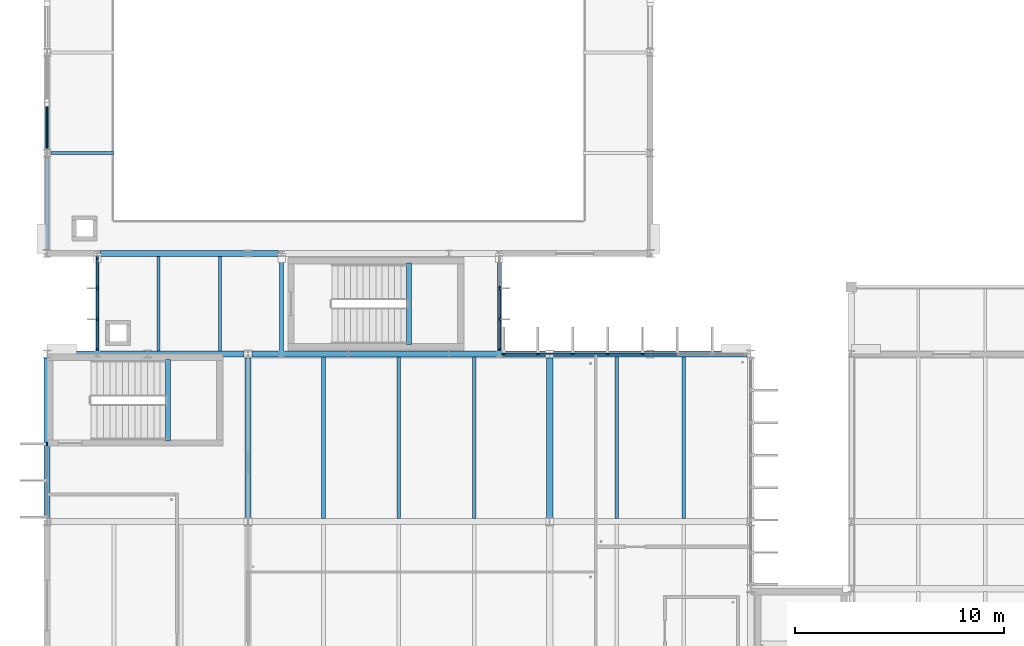
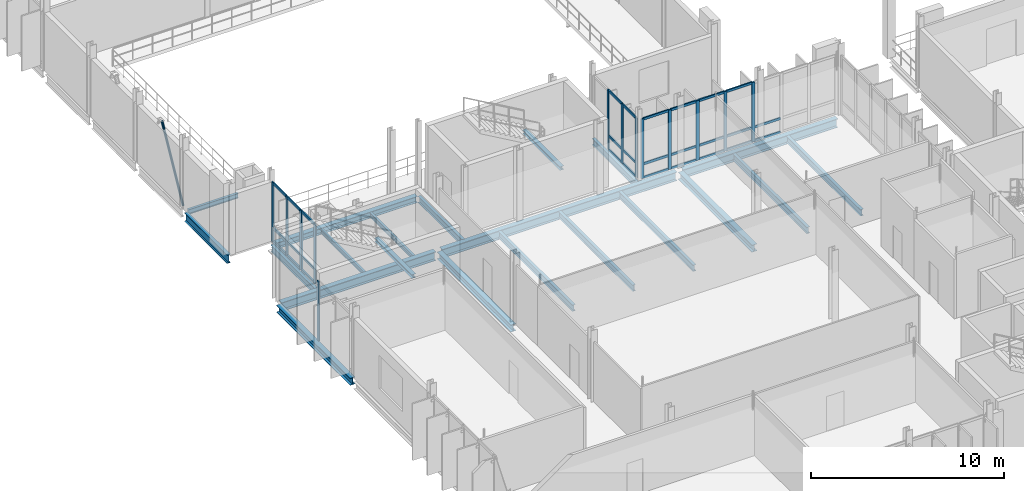
# One storey, part 22 of 107: 43 members, 21 beams, 4 elements without a shape of their own.
"""IFC4 building model written with IfcOpenShell, lengths in metres."""

from ifc_helpers import new_model, si_unit, direction, frame, origin, origin_2d, place, context, subcontext, project, spatial, rectangle, hollow_circle, i_section, extrude, material, material_profile, profile_set, type_object, element, aggregate, save


model = new_model("IFC4")

# Units and contexts
model_context = context("Model", 3, precision=1e-05, world=origin(), true_north=direction((0.0, 1.0)))
body_context = subcontext(model_context, "Body", "Model", "MODEL_VIEW")
ifc_project = project(units=[si_unit("LENGTHUNIT", "METRE"), si_unit("AREAUNIT", "SQUARE_METRE"), si_unit("VOLUMEUNIT", "CUBIC_METRE"), si_unit("PLANEANGLEUNIT", "RADIAN"), si_unit("MASSUNIT", "GRAM", prefix="KILO")], contexts=[model_context])

# Site, building, storey
site_placement = place(None, origin())
site = spatial("IfcSite", under=ifc_project, at=site_placement, CompositionType="ELEMENT")
building_placement = place(site_placement, origin())
building = spatial("IfcBuilding", under=site, at=building_placement, Name="Dunescarp Central Library", CompositionType="ELEMENT")
storey_placement = place(building_placement, frame((0.0, 0.0, 5.10009765625)))
storey = spatial("IfcBuildingStorey", under=building, at=storey_placement, Name="L01", CompositionType="ELEMENT", Elevation=5.10009765625)

# Curtain wall, members
ifc_material_1 = material(Name="Marine-grade anodised aluminium 6063-T6", Category="aluminium")
curtain_wall_type_1 = type_object("IfcCurtainWallType", Name="ARC-CW-STICK", PredefinedType="NOTDEFINED", material=ifc_material_1)
curtain_wall_1_placement = place(storey_placement, origin())
curtain_wall_1 = element("IfcCurtainWall", 1, at=curtain_wall_1_placement, inside=storey, type_object=curtain_wall_type_1, Name="L01 curtain wall CW-V1-008", PredefinedType="NOTDEFINED")
ifc_material_profile_1 = material_profile(ifc_material_1, rectangle(XDim=0.080078125, YDim=0.179931640625, at=origin_2d()), Name="AL 80x180")
ifc_profile_set_1 = profile_set([ifc_material_profile_1], Name="Marine-grade anodised aluminium 6063-T6")
member_type_1 = type_object("IfcMemberType", Name="ARC-CWM-180", PredefinedType="MULLION", material=ifc_profile_set_1)
member_1_placement = place(storey_placement, frame((21.81494140625, 36.800048828125, 0.0), z_axis=(0.0, 0.0, 1.0), x_axis=(0.0, 1.0, 0.0)))
member_1 = element("IfcMember", 2, at=member_1_placement, type_object=member_type_1, Name="CW-V1-008 mullion 1", PredefinedType="MULLION", context=body_context, shape_type="SweptSolid", body=[
    extrude(rectangle(XDim=0.080078125, YDim=0.179931640625, at=origin_2d()), origin(), (0.0, 0.0, 1.0), 3.764892578125),
])
member_2_placement = place(storey_placement, frame((23.439208984375, 36.800048828125, 0.0), z_axis=(0.0, 0.0, 1.0), x_axis=(0.0, 1.0, 0.0)))
member_2 = element("IfcMember", 3, at=member_2_placement, type_object=member_type_1, Name="CW-V1-008 mullion 2", PredefinedType="MULLION", context=body_context, shape_type="SweptSolid", body=[
    extrude(rectangle(XDim=0.080078125, YDim=0.179931640625, at=origin_2d()), origin(), (0.0, 0.0, 1.0), 3.764892578125),
])
member_3_placement = place(storey_placement, frame((25.103515625, 36.800048828125, 0.0), z_axis=(0.0, 0.0, 1.0), x_axis=(0.0, 1.0, 0.0)))
member_3 = element("IfcMember", 4, at=member_3_placement, type_object=member_type_1, Name="CW-V1-008 mullion 3", PredefinedType="MULLION", context=body_context, shape_type="SweptSolid", body=[
    extrude(rectangle(XDim=0.080078125, YDim=0.179931640625, at=origin_2d()), origin(), (0.0, 0.0, 1.0), 3.764892578125),
])
member_4_placement = place(storey_placement, frame((26.767822265625, 36.800048828125, 0.0), z_axis=(0.0, 0.0, 1.0), x_axis=(0.0, 1.0, 0.0)))
member_4 = element("IfcMember", 5, at=member_4_placement, type_object=member_type_1, Name="CW-V1-008 mullion 4", PredefinedType="MULLION", context=body_context, shape_type="SweptSolid", body=[
    extrude(rectangle(XDim=0.080078125, YDim=0.179931640625, at=origin_2d()), origin(), (0.0, 0.0, 1.0), 3.764892578125),
])
member_5_placement = place(storey_placement, frame((28.43212890625, 36.800048828125, 0.0), z_axis=(0.0, 0.0, 1.0), x_axis=(0.0, 1.0, 0.0)))
member_5 = element("IfcMember", 6, at=member_5_placement, type_object=member_type_1, Name="CW-V1-008 mullion 5", PredefinedType="MULLION", context=body_context, shape_type="SweptSolid", body=[
    extrude(rectangle(XDim=0.080078125, YDim=0.179931640625, at=origin_2d()), origin(), (0.0, 0.0, 1.0), 3.764892578125),
])

# Curtain wall, member
curtain_wall_2_placement = place(storey_placement, origin())
curtain_wall_2 = element("IfcCurtainWall", 7, at=curtain_wall_2_placement, inside=storey, type_object=curtain_wall_type_1, Name="L01 curtain wall CW-V1-010", PredefinedType="NOTDEFINED")
member_6_placement = place(storey_placement, frame((0.0, 32.510009765625, 0.0), z_axis=(0.0, 0.0, 1.0), x_axis=(-1.0, 0.0, 0.0)))
member_6 = element("IfcMember", 8, at=member_6_placement, type_object=member_type_1, Name="CW-V1-010 mullion 3", PredefinedType="MULLION", context=body_context, shape_type="SweptSolid", body=[
    extrude(rectangle(XDim=0.080078125, YDim=0.179931640625, at=origin_2d()), origin(), (0.0, 0.0, 1.0), 3.764892578125),
])
aggregate(curtain_wall_2, [member_6])

# Curtain wall, members
curtain_wall_type_2 = type_object("IfcCurtainWallType", Name="ARC-CW-LINK", PredefinedType="USERDEFINED", material=ifc_material_1)
curtain_wall_3_placement = place(storey_placement, origin())
curtain_wall_3 = element("IfcCurtainWall", 9, at=curtain_wall_3_placement, inside=storey, type_object=curtain_wall_type_2, Name="L01 curtain wall CW-GL4-W-L01", ObjectType="GLAZED_LINK_WALL", PredefinedType="USERDEFINED")
member_7_placement = place(storey_placement, frame((2.39990234375, 37.014892578125, 0.0), z_axis=(0.0, 0.0, 1.0), x_axis=(-1.0, 0.0, 0.0)))
member_7 = element("IfcMember", 10, at=member_7_placement, type_object=member_type_1, Name="CW-GL4-W-L01 mullion 1", PredefinedType="MULLION", context=body_context, shape_type="SweptSolid", body=[
    extrude(rectangle(XDim=0.080078125, YDim=0.179931640625, at=origin_2d()), origin(), (0.0, 0.0, 1.0), 3.764892578125),
])
member_8_placement = place(storey_placement, frame((2.39990234375, 38.458251953125, 0.0), z_axis=(0.0, 0.0, 1.0), x_axis=(-1.0, 0.0, 0.0)))
member_8 = element("IfcMember", 11, at=member_8_placement, type_object=member_type_1, Name="CW-GL4-W-L01 mullion 2", PredefinedType="MULLION", context=body_context, shape_type="SweptSolid", body=[
    extrude(rectangle(XDim=0.080078125, YDim=0.179931640625, at=origin_2d()), origin(), (0.0, 0.0, 1.0), 3.764892578125),
])
member_9_placement = place(storey_placement, frame((2.39990234375, 39.941650390625, 0.0), z_axis=(0.0, 0.0, 1.0), x_axis=(-1.0, 0.0, 0.0)))
member_9 = element("IfcMember", 12, at=member_9_placement, type_object=member_type_1, Name="CW-GL4-W-L01 mullion 3", PredefinedType="MULLION", context=body_context, shape_type="SweptSolid", body=[
    extrude(rectangle(XDim=0.080078125, YDim=0.179931640625, at=origin_2d()), origin(), (0.0, 0.0, 1.0), 3.764892578125),
])
member_10_placement = place(storey_placement, frame((2.39990234375, 41.385009765625, 0.0), z_axis=(0.0, 0.0, 1.0), x_axis=(-1.0, 0.0, 0.0)))
member_10 = element("IfcMember", 13, at=member_10_placement, type_object=member_type_1, Name="CW-GL4-W-L01 mullion 4", PredefinedType="MULLION", context=body_context, shape_type="SweptSolid", body=[
    extrude(rectangle(XDim=0.080078125, YDim=0.179931640625, at=origin_2d()), origin(), (0.0, 0.0, 1.0), 3.764892578125),
])

curtain_wall_4_placement = place(storey_placement, origin())
curtain_wall_4 = element("IfcCurtainWall", 14, at=curtain_wall_4_placement, inside=storey, type_object=curtain_wall_type_2, Name="L01 curtain wall CW-GL4-E-L01", ObjectType="GLAZED_LINK_WALL", PredefinedType="USERDEFINED")
member_11_placement = place(storey_placement, frame((21.60009765625, 39.941650390625, 0.0), z_axis=(0.0, 0.0, 1.0), x_axis=(1.0, 0.0, 0.0)))
member_11 = element("IfcMember", 15, at=member_11_placement, type_object=member_type_1, Name="CW-GL4-E-L01 mullion 2", PredefinedType="MULLION", context=body_context, shape_type="SweptSolid", body=[
    extrude(rectangle(XDim=0.080078125, YDim=0.179931640625, at=origin_2d()), origin(), (0.0, 0.0, 1.0), 3.764892578125),
])
member_12_placement = place(storey_placement, frame((21.60009765625, 38.458251953125, 0.0), z_axis=(0.0, 0.0, 1.0), x_axis=(1.0, 0.0, 0.0)))
member_12 = element("IfcMember", 16, at=member_12_placement, type_object=member_type_1, Name="CW-GL4-E-L01 mullion 3", PredefinedType="MULLION", context=body_context, shape_type="SweptSolid", body=[
    extrude(rectangle(XDim=0.080078125, YDim=0.179931640625, at=origin_2d()), origin(), (0.0, 0.0, 1.0), 3.764892578125),
])
member_13_placement = place(storey_placement, frame((21.60009765625, 37.014892578125, 0.0), z_axis=(0.0, 0.0, 1.0), x_axis=(1.0, 0.0, 0.0)))
member_13 = element("IfcMember", 17, at=member_13_placement, type_object=member_type_1, Name="CW-GL4-E-L01 mullion 4", PredefinedType="MULLION", context=body_context, shape_type="SweptSolid", body=[
    extrude(rectangle(XDim=0.080078125, YDim=0.179931640625, at=origin_2d()), origin(), (0.0, 0.0, 1.0), 3.764892578125),
])

# Member
ifc_material_profile_2 = material_profile(ifc_material_1, rectangle(XDim=0.080078125, YDim=0.14990234375, at=origin_2d()), Name="AL 80x150")
ifc_profile_set_2 = profile_set([ifc_material_profile_2], Name="Marine-grade anodised aluminium 6063-T6")
member_type_2 = type_object("IfcMemberType", Name="ARC-CWT-150", PredefinedType="USERDEFINED", material=ifc_profile_set_2)
member_14_placement = place(storey_placement, frame((21.85498046875, 36.800048828125, 0.039794921875), z_axis=(1.0, 0.0, 0.0), x_axis=(0.0, 1.0, 0.0)))
member_14 = element("IfcMember", 18, at=member_14_placement, type_object=member_type_2, Name="CW-V1-008 transom 1.1", ObjectType="TRANSOM", PredefinedType="USERDEFINED", context=body_context, shape_type="SweptSolid", body=[
    extrude(rectangle(XDim=0.080078125, YDim=0.14990234375, at=origin_2d()), origin(), (0.0, 0.0, 1.0), 1.544189453125),
])

member_15_placement = place(storey_placement, frame((21.85498046875, 36.800048828125, 0.89990234375), z_axis=(1.0, 0.0, 0.0), x_axis=(0.0, 1.0, 0.0)))
member_15 = element("IfcMember", 19, at=member_15_placement, type_object=member_type_2, Name="CW-V1-008 transom 1.2", ObjectType="TRANSOM", PredefinedType="USERDEFINED", context=body_context, shape_type="SweptSolid", body=[
    extrude(rectangle(XDim=0.080078125, YDim=0.14990234375, at=origin_2d()), origin(), (0.0, 0.0, 1.0), 1.544189453125),
])

member_16_placement = place(storey_placement, frame((21.85498046875, 36.800048828125, 3.724853515625), z_axis=(1.0, 0.0, 0.0), x_axis=(0.0, 1.0, 0.0)))
member_16 = element("IfcMember", 20, at=member_16_placement, type_object=member_type_2, Name="CW-V1-008 transom 1.3", ObjectType="TRANSOM", PredefinedType="USERDEFINED", context=body_context, shape_type="SweptSolid", body=[
    extrude(rectangle(XDim=0.080078125, YDim=0.14990234375, at=origin_2d()), origin(), (0.0, 0.0, 1.0), 1.544189453125),
])

member_17_placement = place(storey_placement, frame((23.479248046875, 36.800048828125, 0.039794921875), z_axis=(1.0, 0.0, 0.0), x_axis=(0.0, 1.0, 0.0)))
member_17 = element("IfcMember", 21, at=member_17_placement, type_object=member_type_2, Name="CW-V1-008 transom 2.1", ObjectType="TRANSOM", PredefinedType="USERDEFINED", context=body_context, shape_type="SweptSolid", body=[
    extrude(rectangle(XDim=0.080078125, YDim=0.14990234375, at=origin_2d()), origin(), (0.0, 0.0, 1.0), 1.584228515625),
])

member_18_placement = place(storey_placement, frame((23.479248046875, 36.800048828125, 0.89990234375), z_axis=(1.0, 0.0, 0.0), x_axis=(0.0, 1.0, 0.0)))
member_18 = element("IfcMember", 22, at=member_18_placement, type_object=member_type_2, Name="CW-V1-008 transom 2.2", ObjectType="TRANSOM", PredefinedType="USERDEFINED", context=body_context, shape_type="SweptSolid", body=[
    extrude(rectangle(XDim=0.080078125, YDim=0.14990234375, at=origin_2d()), origin(), (0.0, 0.0, 1.0), 1.584228515625),
])

member_19_placement = place(storey_placement, frame((23.479248046875, 36.800048828125, 3.724853515625), z_axis=(1.0, 0.0, 0.0), x_axis=(0.0, 1.0, 0.0)))
member_19 = element("IfcMember", 23, at=member_19_placement, type_object=member_type_2, Name="CW-V1-008 transom 2.3", ObjectType="TRANSOM", PredefinedType="USERDEFINED", context=body_context, shape_type="SweptSolid", body=[
    extrude(rectangle(XDim=0.080078125, YDim=0.14990234375, at=origin_2d()), origin(), (0.0, 0.0, 1.0), 1.584228515625),
])

member_20_placement = place(storey_placement, frame((25.1435546875, 36.800048828125, 0.039794921875), z_axis=(1.0, 0.0, 0.0), x_axis=(0.0, 1.0, 0.0)))
member_20 = element("IfcMember", 24, at=member_20_placement, type_object=member_type_2, Name="CW-V1-008 transom 3.1", ObjectType="TRANSOM", PredefinedType="USERDEFINED", context=body_context, shape_type="SweptSolid", body=[
    extrude(rectangle(XDim=0.080078125, YDim=0.14990234375, at=origin_2d()), origin(), (0.0, 0.0, 1.0), 1.584228515625),
])

member_21_placement = place(storey_placement, frame((25.1435546875, 36.800048828125, 0.89990234375), z_axis=(1.0, 0.0, 0.0), x_axis=(0.0, 1.0, 0.0)))
member_21 = element("IfcMember", 25, at=member_21_placement, type_object=member_type_2, Name="CW-V1-008 transom 3.2", ObjectType="TRANSOM", PredefinedType="USERDEFINED", context=body_context, shape_type="SweptSolid", body=[
    extrude(rectangle(XDim=0.080078125, YDim=0.14990234375, at=origin_2d()), origin(), (0.0, 0.0, 1.0), 1.584228515625),
])

member_22_placement = place(storey_placement, frame((25.1435546875, 36.800048828125, 3.724853515625), z_axis=(1.0, 0.0, 0.0), x_axis=(0.0, 1.0, 0.0)))
member_22 = element("IfcMember", 26, at=member_22_placement, type_object=member_type_2, Name="CW-V1-008 transom 3.3", ObjectType="TRANSOM", PredefinedType="USERDEFINED", context=body_context, shape_type="SweptSolid", body=[
    extrude(rectangle(XDim=0.080078125, YDim=0.14990234375, at=origin_2d()), origin(), (0.0, 0.0, 1.0), 1.584228515625),
])

member_23_placement = place(storey_placement, frame((26.807861328125, 36.800048828125, 0.039794921875), z_axis=(1.0, 0.0, 0.0), x_axis=(0.0, 1.0, 0.0)))
member_23 = element("IfcMember", 27, at=member_23_placement, type_object=member_type_2, Name="CW-V1-008 transom 4.1", ObjectType="TRANSOM", PredefinedType="USERDEFINED", context=body_context, shape_type="SweptSolid", body=[
    extrude(rectangle(XDim=0.080078125, YDim=0.14990234375, at=origin_2d()), origin(), (0.0, 0.0, 1.0), 1.584228515625),
])

member_24_placement = place(storey_placement, frame((26.807861328125, 36.800048828125, 0.89990234375), z_axis=(1.0, 0.0, 0.0), x_axis=(0.0, 1.0, 0.0)))
member_24 = element("IfcMember", 28, at=member_24_placement, type_object=member_type_2, Name="CW-V1-008 transom 4.2", ObjectType="TRANSOM", PredefinedType="USERDEFINED", context=body_context, shape_type="SweptSolid", body=[
    extrude(rectangle(XDim=0.080078125, YDim=0.14990234375, at=origin_2d()), origin(), (0.0, 0.0, 1.0), 1.584228515625),
])

member_25_placement = place(storey_placement, frame((26.807861328125, 36.800048828125, 3.724853515625), z_axis=(1.0, 0.0, 0.0), x_axis=(0.0, 1.0, 0.0)))
member_25 = element("IfcMember", 29, at=member_25_placement, type_object=member_type_2, Name="CW-V1-008 transom 4.3", ObjectType="TRANSOM", PredefinedType="USERDEFINED", context=body_context, shape_type="SweptSolid", body=[
    extrude(rectangle(XDim=0.080078125, YDim=0.14990234375, at=origin_2d()), origin(), (0.0, 0.0, 1.0), 1.584228515625),
])

member_26_placement = place(storey_placement, frame((28.47216796875, 36.800048828125, 0.039794921875), z_axis=(1.0, 0.0, 0.0), x_axis=(0.0, 1.0, 0.0)))
member_26 = element("IfcMember", 30, at=member_26_placement, type_object=member_type_2, Name="CW-V1-008 transom 5.1", ObjectType="TRANSOM", PredefinedType="USERDEFINED", context=body_context, shape_type="SweptSolid", body=[
    extrude(rectangle(XDim=0.080078125, YDim=0.14990234375, at=origin_2d()), origin(), (0.0, 0.0, 1.0), 1.584228515625),
])

member_27_placement = place(storey_placement, frame((28.47216796875, 36.800048828125, 0.89990234375), z_axis=(1.0, 0.0, 0.0), x_axis=(0.0, 1.0, 0.0)))
member_27 = element("IfcMember", 31, at=member_27_placement, type_object=member_type_2, Name="CW-V1-008 transom 5.2", ObjectType="TRANSOM", PredefinedType="USERDEFINED", context=body_context, shape_type="SweptSolid", body=[
    extrude(rectangle(XDim=0.080078125, YDim=0.14990234375, at=origin_2d()), origin(), (0.0, 0.0, 1.0), 1.584228515625),
])

aggregate(curtain_wall_1, [member_1, member_2, member_3, member_4, member_5, member_14, member_15, member_16, member_17, member_18, member_19, member_20, member_21, member_22, member_23, member_24, member_25, member_26, member_27])

member_28_placement = place(storey_placement, frame((2.39990234375, 37.054931640625, 0.039794921875), z_axis=(0.0, 1.0, 0.0), x_axis=(-1.0, 0.0, 0.0)))
member_28 = element("IfcMember", 32, at=member_28_placement, type_object=member_type_2, Name="CW-GL4-W-L01 transom 1.1", ObjectType="TRANSOM", PredefinedType="USERDEFINED", context=body_context, shape_type="SweptSolid", body=[
    extrude(rectangle(XDim=0.080078125, YDim=0.14990234375, at=origin_2d()), origin(), (0.0, 0.0, 1.0), 1.36328125),
])

member_29_placement = place(storey_placement, frame((2.39990234375, 37.054931640625, 0.89990234375), z_axis=(0.0, 1.0, 0.0), x_axis=(-1.0, 0.0, 0.0)))
member_29 = element("IfcMember", 33, at=member_29_placement, type_object=member_type_2, Name="CW-GL4-W-L01 transom 1.2", ObjectType="TRANSOM", PredefinedType="USERDEFINED", context=body_context, shape_type="SweptSolid", body=[
    extrude(rectangle(XDim=0.080078125, YDim=0.14990234375, at=origin_2d()), origin(), (0.0, 0.0, 1.0), 1.36328125),
])

member_30_placement = place(storey_placement, frame((2.39990234375, 37.054931640625, 3.724853515625), z_axis=(0.0, 1.0, 0.0), x_axis=(-1.0, 0.0, 0.0)))
member_30 = element("IfcMember", 34, at=member_30_placement, type_object=member_type_2, Name="CW-GL4-W-L01 transom 1.3", ObjectType="TRANSOM", PredefinedType="USERDEFINED", context=body_context, shape_type="SweptSolid", body=[
    extrude(rectangle(XDim=0.080078125, YDim=0.14990234375, at=origin_2d()), origin(), (0.0, 0.0, 1.0), 1.36328125),
])

member_31_placement = place(storey_placement, frame((2.39990234375, 38.498291015625, 0.039794921875), z_axis=(0.0, 1.0, 0.0), x_axis=(-1.0, 0.0, 0.0)))
member_31 = element("IfcMember", 35, at=member_31_placement, type_object=member_type_2, Name="CW-GL4-W-L01 transom 2.1", ObjectType="TRANSOM", PredefinedType="USERDEFINED", context=body_context, shape_type="SweptSolid", body=[
    extrude(rectangle(XDim=0.080078125, YDim=0.14990234375, at=origin_2d()), origin(), (0.0, 0.0, 1.0), 1.4033203125),
])

member_32_placement = place(storey_placement, frame((2.39990234375, 38.498291015625, 0.89990234375), z_axis=(0.0, 1.0, 0.0), x_axis=(-1.0, 0.0, 0.0)))
member_32 = element("IfcMember", 36, at=member_32_placement, type_object=member_type_2, Name="CW-GL4-W-L01 transom 2.2", ObjectType="TRANSOM", PredefinedType="USERDEFINED", context=body_context, shape_type="SweptSolid", body=[
    extrude(rectangle(XDim=0.080078125, YDim=0.14990234375, at=origin_2d()), origin(), (0.0, 0.0, 1.0), 1.4033203125),
])

member_33_placement = place(storey_placement, frame((2.39990234375, 38.498291015625, 3.724853515625), z_axis=(0.0, 1.0, 0.0), x_axis=(-1.0, 0.0, 0.0)))
member_33 = element("IfcMember", 37, at=member_33_placement, type_object=member_type_2, Name="CW-GL4-W-L01 transom 2.3", ObjectType="TRANSOM", PredefinedType="USERDEFINED", context=body_context, shape_type="SweptSolid", body=[
    extrude(rectangle(XDim=0.080078125, YDim=0.14990234375, at=origin_2d()), origin(), (0.0, 0.0, 1.0), 1.4033203125),
])

member_34_placement = place(storey_placement, frame((2.39990234375, 39.981689453125, 0.039794921875), z_axis=(0.0, 1.0, 0.0), x_axis=(-1.0, 0.0, 0.0)))
member_34 = element("IfcMember", 38, at=member_34_placement, type_object=member_type_2, Name="CW-GL4-W-L01 transom 3.1", ObjectType="TRANSOM", PredefinedType="USERDEFINED", context=body_context, shape_type="SweptSolid", body=[
    extrude(rectangle(XDim=0.080078125, YDim=0.14990234375, at=origin_2d()), origin(), (0.0, 0.0, 1.0), 1.36328125),
])

member_35_placement = place(storey_placement, frame((2.39990234375, 39.981689453125, 0.89990234375), z_axis=(0.0, 1.0, 0.0), x_axis=(-1.0, 0.0, 0.0)))
member_35 = element("IfcMember", 39, at=member_35_placement, type_object=member_type_2, Name="CW-GL4-W-L01 transom 3.2", ObjectType="TRANSOM", PredefinedType="USERDEFINED", context=body_context, shape_type="SweptSolid", body=[
    extrude(rectangle(XDim=0.080078125, YDim=0.14990234375, at=origin_2d()), origin(), (0.0, 0.0, 1.0), 1.36328125),
])

member_36_placement = place(storey_placement, frame((2.39990234375, 39.981689453125, 3.724853515625), z_axis=(0.0, 1.0, 0.0), x_axis=(-1.0, 0.0, 0.0)))
member_36 = element("IfcMember", 40, at=member_36_placement, type_object=member_type_2, Name="CW-GL4-W-L01 transom 3.3", ObjectType="TRANSOM", PredefinedType="USERDEFINED", context=body_context, shape_type="SweptSolid", body=[
    extrude(rectangle(XDim=0.080078125, YDim=0.14990234375, at=origin_2d()), origin(), (0.0, 0.0, 1.0), 1.36328125),
])

aggregate(curtain_wall_3, [member_7, member_8, member_9, member_10, member_28, member_29, member_30, member_31, member_32, member_33, member_34, member_35, member_36])

member_37_placement = place(storey_placement, frame((21.60009765625, 39.901611328125, 0.039794921875), z_axis=(0.0, -1.0, 0.0), x_axis=(1.0, 0.0, 0.0)))
member_37 = element("IfcMember", 41, at=member_37_placement, type_object=member_type_2, Name="CW-GL4-E-L01 transom 2.1", ObjectType="TRANSOM", PredefinedType="USERDEFINED", context=body_context, shape_type="SweptSolid", body=[
    extrude(rectangle(XDim=0.080078125, YDim=0.14990234375, at=origin_2d()), origin(), (0.0, 0.0, 1.0), 1.4033203125),
])

member_38_placement = place(storey_placement, frame((21.60009765625, 39.901611328125, 0.89990234375), z_axis=(0.0, -1.0, 0.0), x_axis=(1.0, 0.0, 0.0)))
member_38 = element("IfcMember", 42, at=member_38_placement, type_object=member_type_2, Name="CW-GL4-E-L01 transom 2.2", ObjectType="TRANSOM", PredefinedType="USERDEFINED", context=body_context, shape_type="SweptSolid", body=[
    extrude(rectangle(XDim=0.080078125, YDim=0.14990234375, at=origin_2d()), origin(), (0.0, 0.0, 1.0), 1.4033203125),
])

member_39_placement = place(storey_placement, frame((21.60009765625, 39.901611328125, 3.724853515625), z_axis=(0.0, -1.0, 0.0), x_axis=(1.0, 0.0, 0.0)))
member_39 = element("IfcMember", 43, at=member_39_placement, type_object=member_type_2, Name="CW-GL4-E-L01 transom 2.3", ObjectType="TRANSOM", PredefinedType="USERDEFINED", context=body_context, shape_type="SweptSolid", body=[
    extrude(rectangle(XDim=0.080078125, YDim=0.14990234375, at=origin_2d()), origin(), (0.0, 0.0, 1.0), 1.4033203125),
])

member_40_placement = place(storey_placement, frame((21.60009765625, 38.418212890625, 0.039794921875), z_axis=(0.0, -1.0, 0.0), x_axis=(1.0, 0.0, 0.0)))
member_40 = element("IfcMember", 44, at=member_40_placement, type_object=member_type_2, Name="CW-GL4-E-L01 transom 3.1", ObjectType="TRANSOM", PredefinedType="USERDEFINED", context=body_context, shape_type="SweptSolid", body=[
    extrude(rectangle(XDim=0.080078125, YDim=0.14990234375, at=origin_2d()), origin(), (0.0, 0.0, 1.0), 1.36328125),
])

member_41_placement = place(storey_placement, frame((21.60009765625, 38.418212890625, 0.89990234375), z_axis=(0.0, -1.0, 0.0), x_axis=(1.0, 0.0, 0.0)))
member_41 = element("IfcMember", 45, at=member_41_placement, type_object=member_type_2, Name="CW-GL4-E-L01 transom 3.2", ObjectType="TRANSOM", PredefinedType="USERDEFINED", context=body_context, shape_type="SweptSolid", body=[
    extrude(rectangle(XDim=0.080078125, YDim=0.14990234375, at=origin_2d()), origin(), (0.0, 0.0, 1.0), 1.36328125),
])

member_42_placement = place(storey_placement, frame((21.60009765625, 38.418212890625, 3.724853515625), z_axis=(0.0, -1.0, 0.0), x_axis=(1.0, 0.0, 0.0)))
member_42 = element("IfcMember", 46, at=member_42_placement, type_object=member_type_2, Name="CW-GL4-E-L01 transom 3.3", ObjectType="TRANSOM", PredefinedType="USERDEFINED", context=body_context, shape_type="SweptSolid", body=[
    extrude(rectangle(XDim=0.080078125, YDim=0.14990234375, at=origin_2d()), origin(), (0.0, 0.0, 1.0), 1.36328125),
])

aggregate(curtain_wall_4, [member_11, member_12, member_13, member_37, member_38, member_39, member_40, member_41, member_42])

# Beams
ifc_material_2 = material(Name="Steel S355JR", Category="steel")
ifc_material_profile_3 = material_profile(ifc_material_2, i_section(OverallWidth=0.300048828125, OverallDepth=0.389892578125, WebThickness=0.010986328125, FlangeThickness=0.01904296875, at=origin_2d()), Name="HEA 400")
ifc_profile_set_3 = profile_set([ifc_material_profile_3], Name="Steel S355JR")
beam_type_1 = type_object("IfcBeamType", Name="STR-BM-HEA400", PredefinedType="BEAM", material=ifc_profile_set_3)
beam_1_placement = place(storey_placement, frame((2.52490234375, 41.60009765625, -0.4150390625), z_axis=(1.0, 0.0, 0.0), x_axis=(0.0, 1.0, 0.0)))
element("IfcBeam", 47, at=beam_1_placement, inside=storey, type_object=beam_type_1, Name="L01 girder BM-L01-1265", PredefinedType="BEAM", context=body_context, shape_type="SweptSolid", body=[
    extrude(i_section(OverallWidth=0.300048828125, OverallDepth=0.389892578125, WebThickness=0.010986328125, FlangeThickness=0.01904296875, at=origin_2d()), origin(), (0.0, 0.0, 1.0), 8.550048828125),
])
ifc_material_profile_4 = material_profile(ifc_material_2, i_section(OverallWidth=0.300048828125, OverallDepth=0.449951171875, WebThickness=0.013916015625, FlangeThickness=0.02587890625, at=origin_2d()), Name="HEB 450")
ifc_profile_set_4 = profile_set([ifc_material_profile_4], Name="Steel S355JR")
beam_type_2 = type_object("IfcBeamType", Name="STR-BM-HEB450", PredefinedType="BEAM", material=ifc_profile_set_4)
for number, where, z_axis, x_axis, name in (
    (48, (0.0, 28.98388671875, -0.445068359375), (0.0, 1.0, 0.0), (-1.0, 0.0, 0.0), "L01 girder BM-L01-0018"),
    (49, (9.60009765625, 28.98388671875, -0.445068359375), (0.0, 1.0, 0.0), (-1.0, 0.0, 0.0), "L01 girder BM-L01-0019"),
    (50, (24.0, 28.98388671875, -0.445068359375), (0.0, 1.0, 0.0), (-1.0, 0.0, 0.0), "L01 girder BM-L01-0037"),
):
    element("IfcBeam", number, at=place(storey_placement, frame(where, z_axis=z_axis, x_axis=x_axis)), inside=storey, type_object=beam_type_2, Name=name, PredefinedType="BEAM", context=body_context, shape_type="SweptSolid", body=[
        extrude(i_section(OverallWidth=0.300048828125, OverallDepth=0.449951171875, WebThickness=0.013916015625, FlangeThickness=0.02587890625, at=origin_2d()), origin(), (0.0, 0.0, 1.0), 7.628173828125),
    ])
ifc_material_profile_5 = material_profile(ifc_material_2, i_section(OverallWidth=0.300048828125, OverallDepth=0.550048828125, WebThickness=0.014892578125, FlangeThickness=0.029052734375, at=origin_2d()), Name="HEB 550")
ifc_profile_set_5 = profile_set([ifc_material_profile_5], Name="Steel S355JR")
beam_type_3 = type_object("IfcBeamType", Name="STR-BM-HEB550", PredefinedType="BEAM", material=ifc_profile_set_5)
beam_2_placement = place(storey_placement, frame((0.194091796875, 36.800048828125, -0.4951171875), z_axis=(1.0, 0.0, 0.0), x_axis=(0.0, 1.0, 0.0)))
element("IfcBeam", 51, at=beam_2_placement, inside=storey, type_object=beam_type_3, Name="L01 girder BM-L01-0017", PredefinedType="BEAM", context=body_context, shape_type="SweptSolid", body=[
    extrude(i_section(OverallWidth=0.300048828125, OverallDepth=0.550048828125, WebThickness=0.014892578125, FlangeThickness=0.029052734375, at=origin_2d()), origin(), (0.0, 0.0, 1.0), 9.2119140625),
])
beam_3_placement = place(storey_placement, frame((9.7939453125, 36.800048828125, -0.4951171875), z_axis=(1.0, 0.0, 0.0), x_axis=(0.0, 1.0, 0.0)))
element("IfcBeam", 52, at=beam_3_placement, inside=storey, type_object=beam_type_3, Name="L01 girder BM-L01-0036", PredefinedType="BEAM", context=body_context, shape_type="SweptSolid", body=[
    extrude(i_section(OverallWidth=0.300048828125, OverallDepth=0.550048828125, WebThickness=0.014892578125, FlangeThickness=0.029052734375, at=origin_2d()), origin(), (0.0, 0.0, 1.0), 14.011962890625),
])
beam_4_placement = place(storey_placement, frame((24.194091796875, 36.800048828125, -0.4951171875), z_axis=(1.0, 0.0, 0.0), x_axis=(0.0, 1.0, 0.0)))
element("IfcBeam", 53, at=beam_4_placement, inside=storey, type_object=beam_type_3, Name="L01 girder BM-L01-0052", PredefinedType="BEAM", context=body_context, shape_type="SweptSolid", body=[
    extrude(i_section(OverallWidth=0.300048828125, OverallDepth=0.550048828125, WebThickness=0.014892578125, FlangeThickness=0.029052734375, at=origin_2d()), origin(), (0.0, 0.0, 1.0), 9.2119140625),
])
ifc_material_profile_6 = material_profile(ifc_material_2, i_section(OverallWidth=0.209228515625, OverallDepth=0.533203125, WebThickness=0.010009765625, FlangeThickness=0.015625, at=origin_2d()), Name="UB 533x210x92")
ifc_profile_set_6 = profile_set([ifc_material_profile_6], Name="Steel S355JR")
beam_type_4 = type_object("IfcBeamType", Name="STR-BM-UB533", PredefinedType="BEAM", material=ifc_profile_set_6)
beam_5_placement = place(storey_placement, frame((0.0, 41.7880859375, -0.486083984375), z_axis=(0.0, 1.0, 0.0), x_axis=(-1.0, 0.0, 0.0)))
element("IfcBeam", 54, at=beam_5_placement, inside=storey, type_object=beam_type_4, Name="L01 auditorium edge girder BM-L01-1334", PredefinedType="BEAM", context=body_context, shape_type="SweptSolid", body=[
    extrude(i_section(OverallWidth=0.209228515625, OverallDepth=0.533203125, WebThickness=0.010009765625, FlangeThickness=0.015625, at=origin_2d()), origin(), (0.0, 0.0, 1.0), 4.423828125),
])

# Member
ifc_material_3 = material(Name="Steel S355J0", Category="steel")
ifc_material_profile_7 = material_profile(ifc_material_3, hollow_circle(Radius=0.06982421875, WallThickness=0.00634765625, at=origin_2d()), Name="CHS 139.7x6.3")
ifc_profile_set_7 = profile_set([ifc_material_profile_7], Name="Steel S355J0")
member_type_3 = type_object("IfcMemberType", Name="STR-BR-139", PredefinedType="BRACE", material=ifc_profile_set_7)
member_43_placement = place(storey_placement, frame((0.0, 46.52001953125, 0.0), z_axis=(0.0, 0.477340844171, 0.878718224738), x_axis=(-1.0, 0.0, 0.0)))
element("IfcMember", 55, at=member_43_placement, inside=storey, type_object=member_type_3, Name="L01 concentric brace BR-L01-053", PredefinedType="BRACE", context=body_context, shape_type="SweptSolid", body=[
    extrude(hollow_circle(Radius=0.06982421875, WallThickness=0.00634765625, at=origin_2d()), origin(), (0.0, 0.0, 1.0), 4.608642578125),
])

# Beams
ifc_material_profile_8 = material_profile(ifc_material_2, i_section(OverallWidth=0.239990234375, OverallDepth=0.22998046875, WebThickness=0.007568359375, FlangeThickness=0.011962890625, at=origin_2d()), Name="HEA 240")
ifc_profile_set_8 = profile_set([ifc_material_profile_8], Name="Steel S355JR")
beam_type_5 = type_object("IfcBeamType", Name="STR-JS-HEA240", PredefinedType="JOIST", material=ifc_profile_set_8)
beam_6_placement = place(storey_placement, frame((5.780029296875, 32.659912109375, 1.934814453125), z_axis=(0.0, 1.0, 0.0), x_axis=(-1.0, 0.0, 0.0)))
element("IfcBeam", 56, at=beam_6_placement, inside=storey, type_object=beam_type_5, Name="L01 ST-6 landing trimmer beam BM-ST-008", PredefinedType="BEAM", context=body_context, shape_type="SweptSolid", body=[
    extrude(i_section(OverallWidth=0.239990234375, OverallDepth=0.22998046875, WebThickness=0.007568359375, FlangeThickness=0.011962890625, at=origin_2d()), origin(), (0.0, 0.0, 1.0), 3.880126953125),
])
beam_7_placement = place(storey_placement, frame((17.280029296875, 37.260009765625, 1.934814453125), z_axis=(0.0, 1.0, 0.0), x_axis=(-1.0, 0.0, 0.0)))
element("IfcBeam", 57, at=beam_7_placement, inside=storey, type_object=beam_type_5, Name="L01 ST-4 landing trimmer beam BM-ST-026", PredefinedType="BEAM", context=body_context, shape_type="SweptSolid", body=[
    extrude(i_section(OverallWidth=0.239990234375, OverallDepth=0.22998046875, WebThickness=0.007568359375, FlangeThickness=0.011962890625, at=origin_2d()), origin(), (0.0, 0.0, 1.0), 3.8798828125),
])
ifc_material_profile_9 = material_profile(ifc_material_2, i_section(OverallWidth=0.135009765625, OverallDepth=0.27001953125, WebThickness=0.006591796875, FlangeThickness=0.01025390625, at=origin_2d()), Name="IPE 270")
ifc_profile_set_9 = profile_set([ifc_material_profile_9], Name="Steel S355JR")
beam_type_6 = type_object("IfcBeamType", Name="STR-JS-IPE270", PredefinedType="JOIST", material=ifc_profile_set_9)
for number, where, z_axis, x_axis, name in (
    (58, (5.3330078125, 36.947998046875, -0.35498046875), (0.0, 1.0, 0.0), (-1.0, 0.0, 0.0), "L01 joist JS-L01-1268"),
    (59, (8.26708984375, 36.947998046875, -0.35498046875), (0.0, 1.0, 0.0), (-1.0, 0.0, 0.0), "L01 joist JS-L01-1269"),
):
    element("IfcBeam", number, at=place(storey_placement, frame(where, z_axis=z_axis, x_axis=x_axis)), inside=storey, type_object=beam_type_6, Name=name, PredefinedType="JOIST", context=body_context, shape_type="SweptSolid", body=[
        extrude(i_section(OverallWidth=0.135009765625, OverallDepth=0.27001953125, WebThickness=0.006591796875, FlangeThickness=0.01025390625, at=origin_2d()), origin(), (0.0, 0.0, 1.0), 4.50390625),
    ])
ifc_material_profile_10 = material_profile(ifc_material_2, i_section(OverallWidth=0.14990234375, OverallDepth=0.300048828125, WebThickness=0.007080078125, FlangeThickness=0.0107421875, at=origin_2d()), Name="IPE 300")
ifc_profile_set_10 = profile_set([ifc_material_profile_10], Name="Steel S355JR")
beam_type_7 = type_object("IfcBeamType", Name="STR-JS-IPE300", PredefinedType="JOIST", material=ifc_profile_set_10)
beam_8_placement = place(storey_placement, frame((0.194091796875, 46.39990234375, -0.3701171875), z_axis=(1.0, 0.0, 0.0), x_axis=(0.0, 1.0, 0.0)))
element("IfcBeam", 60, at=beam_8_placement, inside=storey, type_object=beam_type_7, Name="L01 gallery bracket beam BM-L01-1342", PredefinedType="JOIST", context=body_context, shape_type="SweptSolid", body=[
    extrude(i_section(OverallWidth=0.14990234375, OverallDepth=0.300048828125, WebThickness=0.007080078125, FlangeThickness=0.0107421875, at=origin_2d()), origin(), (0.0, 0.0, 1.0), 3.005859375),
])
ifc_material_profile_11 = material_profile(ifc_material_2, i_section(OverallWidth=0.179931640625, OverallDepth=0.39990234375, WebThickness=0.008544921875, FlangeThickness=0.013427734375, at=origin_2d()), Name="IPE 400")
ifc_profile_set_11 = profile_set([ifc_material_profile_11], Name="Steel S355JR")
beam_type_8 = type_object("IfcBeamType", Name="STR-JS-IPE400", PredefinedType="JOIST", material=ifc_profile_set_11)
for number, where, z_axis, x_axis, name in (
    (61, (13.199951171875, 28.947998046875, -0.420166015625), (0.0, 1.0, 0.0), (-1.0, 0.0, 0.0), "L01 joist JS-L01-0038"),
    (62, (16.800048828125, 28.947998046875, -0.420166015625), (0.0, 1.0, 0.0), (-1.0, 0.0, 0.0), "L01 joist JS-L01-0039"),
    (63, (20.39990234375, 28.947998046875, -0.420166015625), (0.0, 1.0, 0.0), (-1.0, 0.0, 0.0), "L01 joist JS-L01-0040"),
    (64, (27.199951171875, 28.947998046875, -0.420166015625), (0.0, 1.0, 0.0), (-1.0, 0.0, 0.0), "L01 joist JS-L01-0054"),
    (65, (30.39990234375, 28.947998046875, -0.420166015625), (0.0, 1.0, 0.0), (-1.0, 0.0, 0.0), "L01 joist JS-L01-0055"),
):
    element("IfcBeam", number, at=place(storey_placement, frame(where, z_axis=z_axis, x_axis=x_axis)), inside=storey, type_object=beam_type_8, Name=name, PredefinedType="JOIST", context=body_context, shape_type="SweptSolid", body=[
        extrude(i_section(OverallWidth=0.179931640625, OverallDepth=0.39990234375, WebThickness=0.008544921875, FlangeThickness=0.013427734375, at=origin_2d()), origin(), (0.0, 0.0, 1.0), 7.7041015625),
    ])
ifc_material_profile_12 = material_profile(ifc_material_2, i_section(OverallWidth=0.177978515625, OverallDepth=0.406494140625, WebThickness=0.0078125, FlangeThickness=0.0126953125, at=origin_2d()), Name="UB 406x178x60")
ifc_profile_set_12 = profile_set([ifc_material_profile_12], Name="Steel S355JR")
beam_type_9 = type_object("IfcBeamType", Name="STR-SP-UB406", PredefinedType="SPANDREL", material=ifc_profile_set_12)
for number, where, z_axis, x_axis, name in (
    (66, (2.39990234375, 36.927001953125, -0.423095703125), (0.0, 1.0, 0.0), (-1.0, 0.0, 0.0), "L01 girder BM-L01-1266"),
    (67, (11.199951171875, 36.927001953125, -0.423095703125), (0.0, 1.0, 0.0), (-1.0, 0.0, 0.0), "L01 girder BM-L01-1267"),
    (68, (21.60009765625, 36.927001953125, -0.423095703125), (0.0, 1.0, 0.0), (-1.0, 0.0, 0.0), "L01 girder BM-L01-1271"),
):
    element("IfcBeam", number, at=place(storey_placement, frame(where, z_axis=z_axis, x_axis=x_axis)), inside=storey, type_object=beam_type_9, Name=name, PredefinedType="SPANDREL", context=body_context, shape_type="SweptSolid", body=[
        extrude(i_section(OverallWidth=0.177978515625, OverallDepth=0.406494140625, WebThickness=0.0078125, FlangeThickness=0.0126953125, at=origin_2d()), origin(), (0.0, 0.0, 1.0), 4.5458984375),
    ])

save(model, "model.ifc")
